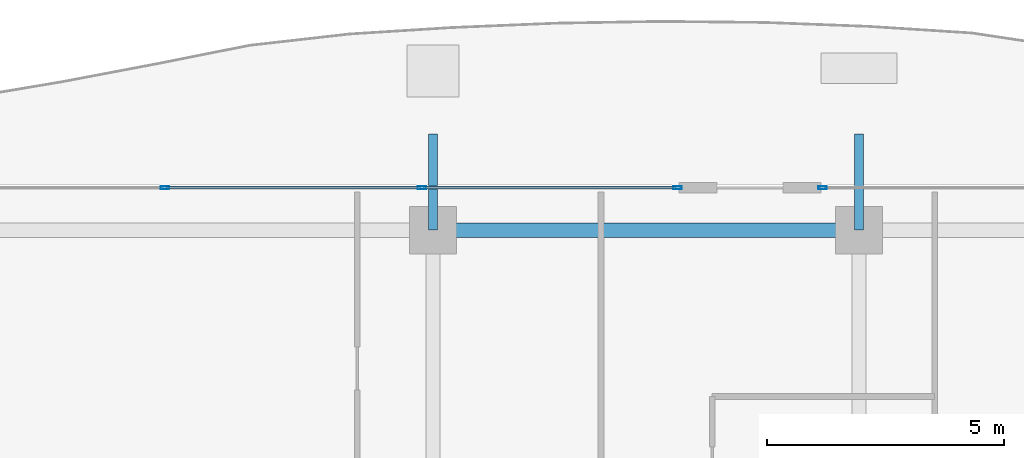
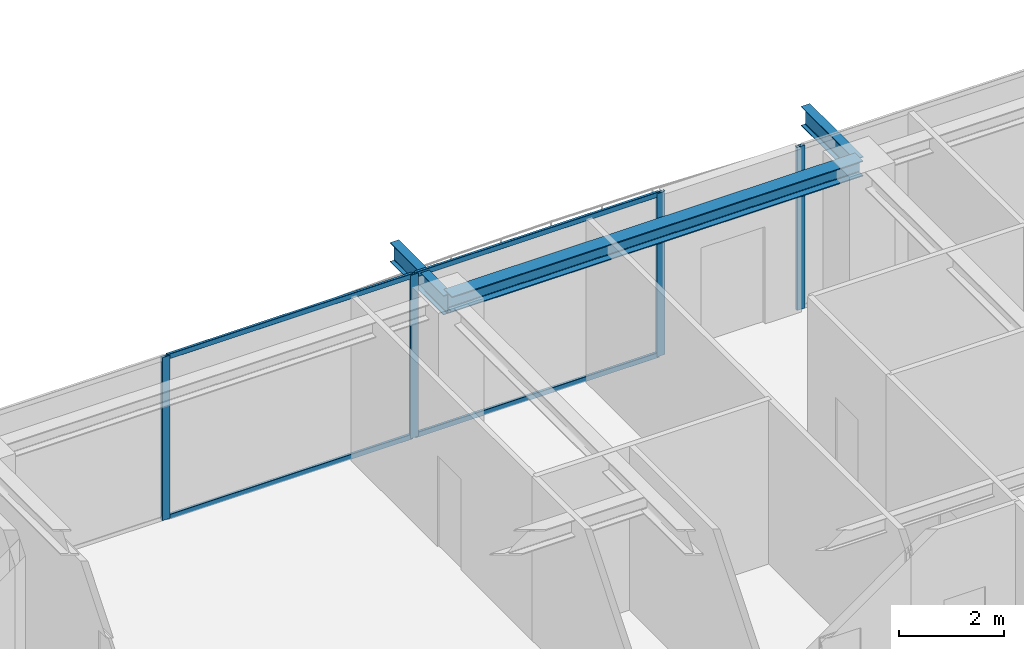
# One storey, part 20 of 37: 8 members, 3 beams, 2 elements without a shape of their own.
"""IFC4 building model written with IfcOpenShell, lengths in metres."""

from ifc_helpers import new_model, si_unit, direction, frame, origin, origin_2d, place, context, subcontext, project, spatial, hollow_rectangle, i_section, extrude, source, transform, mapped, material, layer, layer_set, material_profile, profile_set, type_object, element, aggregate, save


model = new_model("IFC4")

# Units and contexts
model_context = context("Model", 3, precision=1e-05, world=origin(), true_north=direction((0.0, 1.0)))
body_context = subcontext(model_context, "Body", "Model", "MODEL_VIEW")
ifc_project = project(units=[si_unit("LENGTHUNIT", "METRE"), si_unit("AREAUNIT", "SQUARE_METRE"), si_unit("VOLUMEUNIT", "CUBIC_METRE"), si_unit("PLANEANGLEUNIT", "RADIAN"), si_unit("MASSUNIT", "GRAM", prefix="KILO")], contexts=[model_context])

# Site, building, storey
site_placement = place(None, origin())
site = spatial("IfcSite", under=ifc_project, at=site_placement, CompositionType="ELEMENT")
building_placement = place(site_placement, origin())
building = spatial("IfcBuilding", under=site, at=building_placement, Name="Serunith Strait Residences", CompositionType="ELEMENT")
storey_placement = place(building_placement, frame((0.0, 0.0, 317.75)))
storey = spatial("IfcBuildingStorey", under=building, at=storey_placement, Name="L79", CompositionType="ELEMENT", Elevation=317.75)

# Beams
ifc_material_1 = material(Name="Steel S355J2", Category="steel")
ifc_material_profile_1 = material_profile(ifc_material_1, i_section(OverallWidth=0.300048828125, OverallDepth=0.360107421875, WebThickness=0.012451171875, FlangeThickness=0.0224609375, FilletRadius=0.027099609375, at=origin_2d()), Name="HEB 360")
ifc_profile_set_1 = profile_set([ifc_material_profile_1], Name="Steel S355J2")
beam_type_1 = type_object("IfcBeamType", Name="BM-HEB360", PredefinedType="BEAM", material=ifc_profile_set_1)
shared_shape_1 = source(origin(), body_context, "Body", "SweptSolid", [
    extrude(i_section(OverallWidth=0.300048828125, OverallDepth=0.360107421875, WebThickness=0.012451171875, FlangeThickness=0.0224609375, FilletRadius=0.027099609375, at=origin_2d()), origin(), (0.0, 0.0, 1.0), 9.0),
])
beam_placement = place(storey_placement, frame((36.89990234375, 47.10009765625, 3.60693359375), z_axis=(-1.0, 0.0, 0.0), x_axis=(0.0, -1.0, 0.0)))
element("IfcBeam", 1, at=beam_placement, inside=storey, type_object=beam_type_1, Name="L79 Perimeter Ring Beam 10", PredefinedType="BEAM", context=body_context, shape_type="MappedRepresentation", body=[
    mapped(shared_shape_1, transform((0.0, 0.0, 0.0), scale=1.0)),
])
ifc_material_profile_2 = material_profile(ifc_material_1, i_section(OverallWidth=0.18994140625, OverallDepth=0.449951171875, WebThickness=0.009521484375, FlangeThickness=0.0146484375, FilletRadius=0.02099609375, at=origin_2d()), Name="IPE 450")
ifc_profile_set_2 = profile_set([ifc_material_profile_2], Name="Steel S355J2")
beam_type_2 = type_object("IfcBeamType", Name="BM-IPE450", PredefinedType="JOIST", material=ifc_profile_set_2)
shared_shape_2 = source(origin(), body_context, "Body", "SweptSolid", [
    extrude(i_section(OverallWidth=0.18994140625, OverallDepth=0.449951171875, WebThickness=0.009521484375, FlangeThickness=0.0146484375, FilletRadius=0.02099609375, at=origin_2d()), origin(), (0.0, 0.0, 1.0), 2.02978515625),
])
for number, where, z_axis, x_axis, name in (
    (2, (27.89990234375, 47.10009765625, 3.531982421875), (0.0, 1.0, 0.0), (-1.0, 0.0, 0.0), "L80 Cantilevered Balcony Rib TC-N2"),
    (3, (36.89990234375, 47.10009765625, 3.531982421875), (0.0, 1.0, 0.0), (-1.0, 0.0, 0.0), "L80 Cantilevered Balcony Rib TC-N3"),
):
    element("IfcBeam", number, at=place(storey_placement, frame(where, z_axis=z_axis, x_axis=x_axis)), inside=storey, type_object=beam_type_2, Name=name, PredefinedType="JOIST", context=body_context, shape_type="MappedRepresentation", body=[
        mapped(shared_shape_2, transform((0.0, 0.0, 0.0), scale=1.0)),
    ])

# Curtain wall, member
ifc_material_2 = material(Name="Brushed Stainless-Silver Aluminium", Category="aluminium")
ifc_layer = layer(ifc_material_2, 0.199951171875, Name="Brushed Stainless-Silver Aluminium")
ifc_layer_set = layer_set([ifc_layer], Name="Brushed Stainless-Silver Aluminium")
curtain_wall_type = type_object("IfcCurtainWallType", Name="CW-SYS5", PredefinedType="NOTDEFINED", material=ifc_layer_set)
curtain_wall_1_placement = place(storey_placement, origin())
curtain_wall_1 = element("IfcCurtainWall", 4, at=curtain_wall_1_placement, inside=storey, type_object=curtain_wall_type, Name="L79 N Unitised Fritted Curtain Wall", PredefinedType="NOTDEFINED")
ifc_material_profile_3 = material_profile(ifc_material_2, hollow_rectangle(XDim=0.06494140625, YDim=0.179931640625, WallThickness=0.00341796875, InnerFilletRadius=0.00537109375, OuterFilletRadius=0.0087890625, at=origin_2d()), Name="ALU 180x65x3.5")
ifc_profile_set_3 = profile_set([ifc_material_profile_3], Name="Brushed Stainless-Silver Aluminium")
member_type_1 = type_object("IfcMemberType", Name="CW-SYS5-MULL", PredefinedType="MULLION", material=ifc_profile_set_3)
shared_shape_3 = source(origin(), body_context, "Body", "SweptSolid", [
    extrude(hollow_rectangle(XDim=0.06494140625, YDim=0.179931640625, WallThickness=0.00341796875, InnerFilletRadius=0.00537109375, OuterFilletRadius=0.0087890625, at=origin_2d()), origin(), (0.0, 0.0, 1.0), 3.77490234375),
])
member_1_placement = place(storey_placement, frame((36.132568359375, 48.0, 0.0), z_axis=(0.0, 0.0, 1.0), x_axis=(0.0, -1.0, 0.0)))
member_1 = element("IfcMember", 5, at=member_1_placement, type_object=member_type_1, Name="CW-5 mullion 3", PredefinedType="MULLION", context=body_context, shape_type="MappedRepresentation", body=[
    mapped(shared_shape_3, transform((0.0, 0.0, 0.0), scale=1.0)),
])
aggregate(curtain_wall_1, [member_1])

# Curtain wall, members
curtain_wall_2_placement = place(storey_placement, origin())
curtain_wall_2 = element("IfcCurtainWall", 6, at=curtain_wall_2_placement, inside=storey, type_object=curtain_wall_type, Name="L79 N Unitised Fritted Curtain Wall", PredefinedType="NOTDEFINED")
member_2_placement = place(storey_placement, frame((33.0673828125, 48.0, 0.0), z_axis=(0.0, 0.0, 1.0), x_axis=(0.0, -1.0, 0.0)))
member_2 = element("IfcMember", 7, at=member_2_placement, type_object=member_type_1, Name="CW-5 mullion 1", PredefinedType="MULLION", context=body_context, shape_type="MappedRepresentation", body=[
    mapped(shared_shape_3, transform((0.0, 0.0, 0.0), scale=1.0)),
])
member_3_placement = place(storey_placement, frame((27.666748046875, 48.0, 0.0), z_axis=(0.0, 0.0, 1.0), x_axis=(0.0, -1.0, 0.0)))
member_3 = element("IfcMember", 8, at=member_3_placement, type_object=member_type_1, Name="CW-5 mullion 2", PredefinedType="MULLION", context=body_context, shape_type="MappedRepresentation", body=[
    mapped(shared_shape_3, transform((0.0, 0.0, 0.0), scale=1.0)),
])
member_4_placement = place(storey_placement, frame((22.2333984375, 48.0, 0.0), z_axis=(0.0, 0.0, 1.0), x_axis=(0.0, -1.0, 0.0)))
member_4 = element("IfcMember", 9, at=member_4_placement, type_object=member_type_1, Name="CW-5 mullion 3", PredefinedType="MULLION", context=body_context, shape_type="MappedRepresentation", body=[
    mapped(shared_shape_3, transform((0.0, 0.0, 0.0), scale=1.0)),
])
ifc_material_profile_4 = material_profile(ifc_material_2, hollow_rectangle(XDim=0.06005859375, YDim=0.1201171875, WallThickness=0.00341796875, InnerFilletRadius=0.00537109375, OuterFilletRadius=0.0087890625, at=origin_2d()), Name="ALU 120x60x3.5")
ifc_profile_set_4 = profile_set([ifc_material_profile_4], Name="Brushed Stainless-Silver Aluminium")
member_type_2 = type_object("IfcMemberType", Name="CW-SYS5-TRAN", PredefinedType="USERDEFINED", material=ifc_profile_set_4)
shared_shape_4 = source(origin(), body_context, "Body", "SweptSolid", [
    extrude(hollow_rectangle(XDim=0.06005859375, YDim=0.1201171875, WallThickness=0.00341796875, InnerFilletRadius=0.00537109375, OuterFilletRadius=0.0087890625, at=origin_2d()), origin(), (0.0, 0.0, 1.0), 5.368408203125),
])
member_5_placement = place(storey_placement, frame((27.63427734375, 48.0, 0.030029296875), z_axis=(-1.0, 0.0, 0.0), x_axis=(0.0, -1.0, 0.0)))
member_5 = element("IfcMember", 10, at=member_5_placement, type_object=member_type_2, Name="CW-5 transom 2.1", ObjectType="TRANSOM", PredefinedType="USERDEFINED", context=body_context, shape_type="MappedRepresentation", body=[
    mapped(shared_shape_4, transform((0.0, 0.0, 0.0), scale=1.0)),
])
member_6_placement = place(storey_placement, frame((27.63427734375, 48.0, 3.7451171875), z_axis=(-1.0, 0.0, 0.0), x_axis=(0.0, -1.0, 0.0)))
member_6 = element("IfcMember", 11, at=member_6_placement, type_object=member_type_2, Name="CW-5 transom 2.2", ObjectType="TRANSOM", PredefinedType="USERDEFINED", context=body_context, shape_type="MappedRepresentation", body=[
    mapped(shared_shape_4, transform((0.0, 0.0, 0.0), scale=1.0)),
])
shared_shape_5 = source(origin(), body_context, "Body", "SweptSolid", [
    extrude(hollow_rectangle(XDim=0.06005859375, YDim=0.1201171875, WallThickness=0.00341796875, InnerFilletRadius=0.00537109375, OuterFilletRadius=0.0087890625, at=origin_2d()), origin(), (0.0, 0.0, 1.0), 5.335693359375),
])
member_7_placement = place(storey_placement, frame((33.034912109375, 48.0, 0.030029296875), z_axis=(-1.0, 0.0, 0.0), x_axis=(0.0, -1.0, 0.0)))
member_7 = element("IfcMember", 12, at=member_7_placement, type_object=member_type_2, Name="CW-5 transom 1.1", ObjectType="TRANSOM", PredefinedType="USERDEFINED", context=body_context, shape_type="MappedRepresentation", body=[
    mapped(shared_shape_5, transform((0.0, 0.0, 0.0), scale=1.0)),
])
member_8_placement = place(storey_placement, frame((33.034912109375, 48.0, 3.7451171875), z_axis=(-1.0, 0.0, 0.0), x_axis=(0.0, -1.0, 0.0)))
member_8 = element("IfcMember", 13, at=member_8_placement, type_object=member_type_2, Name="CW-5 transom 1.2", ObjectType="TRANSOM", PredefinedType="USERDEFINED", context=body_context, shape_type="MappedRepresentation", body=[
    mapped(shared_shape_5, transform((0.0, 0.0, 0.0), scale=1.0)),
])
aggregate(curtain_wall_2, [member_2, member_3, member_4, member_7, member_8, member_5, member_6])

save(model, "model.ifc")
